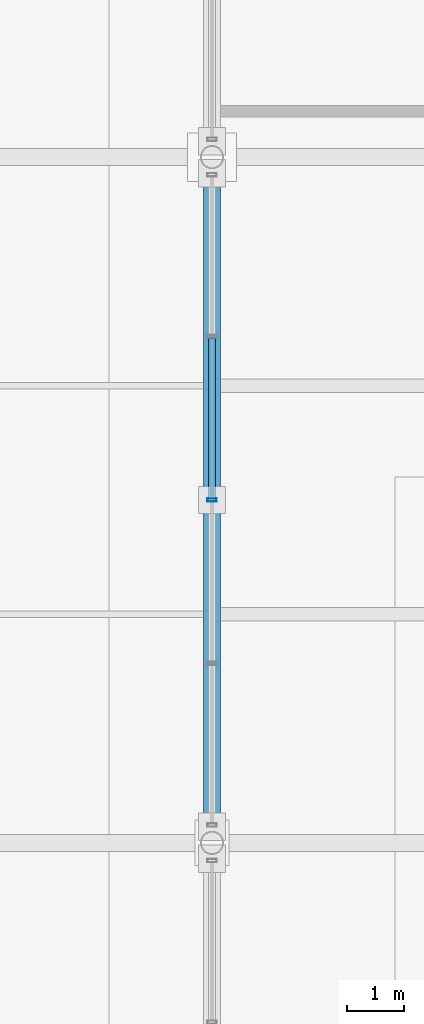
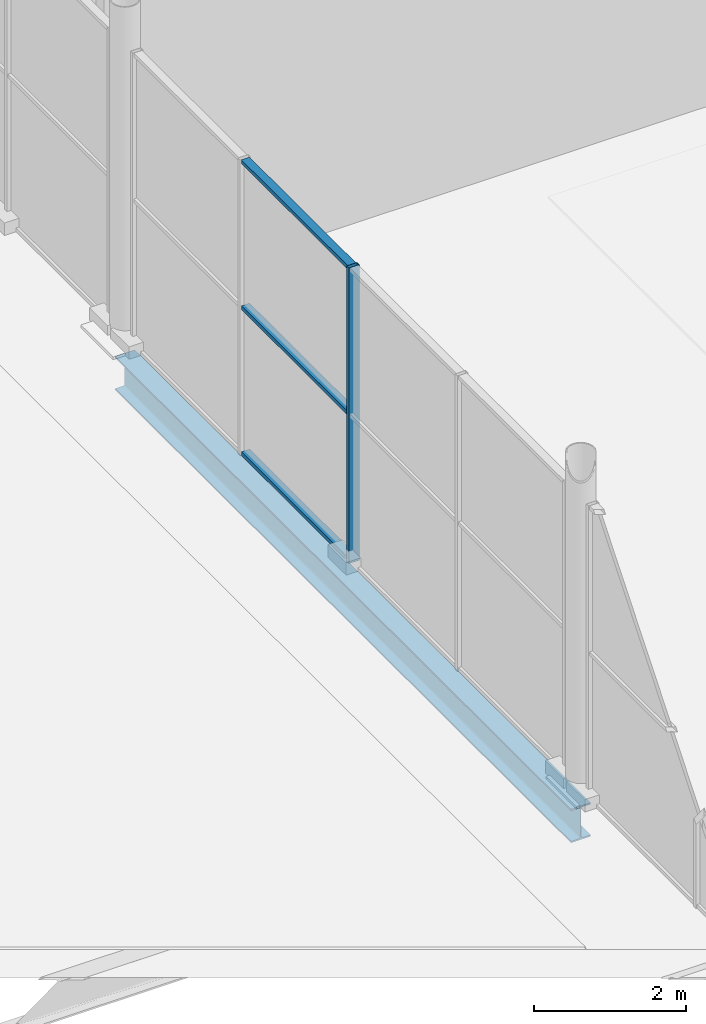
# One storey, part 74 of 196: 4 members, 1 beam, 1 element without a shape of its own.
"""IFC4 building model written with IfcOpenShell, lengths in metres."""

from ifc_helpers import new_model, si_unit, direction, frame, origin, origin_2d, place, context, subcontext, project, spatial, hollow_rectangle, i_section, extrude, material, material_profile, profile_set, type_object, element, aggregate, save


model = new_model("IFC4")

# Units and contexts
model_context = context("Model", 3, precision=1e-05, world=origin(), true_north=direction((0.0, 1.0)))
body_context = subcontext(model_context, "Body", "Model", "MODEL_VIEW")
ifc_project = project(units=[si_unit("LENGTHUNIT", "METRE"), si_unit("AREAUNIT", "SQUARE_METRE"), si_unit("VOLUMEUNIT", "CUBIC_METRE"), si_unit("PLANEANGLEUNIT", "RADIAN"), si_unit("MASSUNIT", "GRAM", prefix="KILO")], contexts=[model_context])

# Site, building, storey
site_placement = place(None, origin())
site = spatial("IfcSite", under=ifc_project, at=site_placement, CompositionType="ELEMENT")
building_placement = place(site_placement, origin())
building = spatial("IfcBuilding", under=site, at=building_placement, Name="Merenkruunu Market Hall", CompositionType="ELEMENT")
storey_placement = place(building_placement, origin())
storey = spatial("IfcBuildingStorey", under=building, at=storey_placement, Name="L00", CompositionType="ELEMENT", Elevation=0.0)

# Curtain wall, members
ifc_material_1 = material(Name="Powder-coated aluminium", Category="aluminium")
curtain_wall_type = type_object("IfcCurtainWallType", Name="Glazed Curtain Wall CW05", PredefinedType="USERDEFINED", material=ifc_material_1)
curtain_wall_placement = place(storey_placement, origin())
curtain_wall = element("IfcCurtainWall", 1, at=curtain_wall_placement, inside=storey, type_object=curtain_wall_type, Name="CW-L00-CWM01-152", ObjectType="GLAZED_FACADE", PredefinedType="USERDEFINED")
ifc_material_profile_1 = material_profile(ifc_material_1, hollow_rectangle(XDim=0.06005859375, YDim=0.159912109375, WallThickness=0.00390625, at=origin_2d()), Name="ALU 60x160x4")
ifc_profile_set_1 = profile_set([ifc_material_profile_1], Name="Powder-coated aluminium")
member_type_1 = type_object("IfcMemberType", Name="Curtain Wall Mullion CWM01", PredefinedType="MULLION", material=ifc_profile_set_1)
member_1_placement = place(storey_placement, frame((76.800048828125, 33.60009765625, 0.0), z_axis=(0.0, 0.0, 1.0), x_axis=(0.0, 1.0, 0.0)))
member_1 = element("IfcMember", 2, at=member_1_placement, type_object=member_type_1, Name="CW05 mullion 3", PredefinedType="MULLION", context=body_context, shape_type="SweptSolid", body=[
    extrude(hollow_rectangle(XDim=0.06005859375, YDim=0.159912109375, WallThickness=0.00390625, at=origin_2d()), origin(), (0.0, 0.0, 1.0), 4.75),
])
ifc_material_profile_2 = material_profile(ifc_material_1, hollow_rectangle(XDim=0.06005859375, YDim=0.125, WallThickness=0.00390625, at=origin_2d()), Name="ALU 60x125x4")
ifc_profile_set_2 = profile_set([ifc_material_profile_2], Name="Powder-coated aluminium")
member_type_2 = type_object("IfcMemberType", Name="Curtain Wall Transom CWT01", PredefinedType="USERDEFINED", material=ifc_profile_set_2)
member_2_placement = place(storey_placement, frame((76.800048828125, 33.6298828125, 0.030029296875), z_axis=(0.0, 1.0, 0.0), x_axis=(0.0, 0.0, 1.0)))
member_2 = element("IfcMember", 3, at=member_2_placement, type_object=member_type_2, Name="CW05 transom 3.1", ObjectType="TRANSOM", PredefinedType="USERDEFINED", context=body_context, shape_type="SweptSolid", body=[
    extrude(hollow_rectangle(XDim=0.06005859375, YDim=0.125, WallThickness=0.00390625, at=origin_2d()), origin(), (0.0, 0.0, 1.0), 2.800048828125),
])
member_3_placement = place(storey_placement, frame((76.800048828125, 33.6298828125, 2.375), z_axis=(0.0, 1.0, 0.0), x_axis=(0.0, 0.0, 1.0)))
member_3 = element("IfcMember", 4, at=member_3_placement, type_object=member_type_2, Name="CW05 transom 3.2", ObjectType="TRANSOM", PredefinedType="USERDEFINED", context=body_context, shape_type="SweptSolid", body=[
    extrude(hollow_rectangle(XDim=0.06005859375, YDim=0.125, WallThickness=0.00390625, at=origin_2d()), origin(), (0.0, 0.0, 1.0), 2.800048828125),
])
member_4_placement = place(storey_placement, frame((76.800048828125, 33.6298828125, 4.719970703125), z_axis=(0.0, 1.0, 0.0), x_axis=(0.0, 0.0, 1.0)))
member_4 = element("IfcMember", 5, at=member_4_placement, type_object=member_type_2, Name="CW05 transom 3.3", ObjectType="TRANSOM", PredefinedType="USERDEFINED", context=body_context, shape_type="SweptSolid", body=[
    extrude(hollow_rectangle(XDim=0.06005859375, YDim=0.125, WallThickness=0.00390625, at=origin_2d()), origin(), (0.0, 0.0, 1.0), 2.800048828125),
])
aggregate(curtain_wall, [member_1, member_2, member_3, member_4])

# Beam
ifc_material_2 = material(Name="Steel S355J2", Category="steel")
ifc_material_profile_3 = material_profile(ifc_material_2, i_section(OverallWidth=0.300048828125, OverallDepth=0.5400390625, WebThickness=0.012451171875, FlangeThickness=0.02392578125, FilletRadius=0.027099609375, at=origin_2d()), Name="HEA 550")
ifc_profile_set_3 = profile_set([ifc_material_profile_3], Name="Steel S355J2")
beam_type = type_object("IfcBeamType", Name="Primary Floor Girder B06", PredefinedType="BEAM", material=ifc_profile_set_3)
beam_placement = place(storey_placement, frame((76.800048828125, 27.60009765625, -0.570068359375), z_axis=(0.0, 1.0, 0.0), x_axis=(-1.0, 0.0, 0.0)))
element("IfcBeam", 6, at=beam_placement, inside=storey, type_object=beam_type, Name="BM-L00-B06-0204", PredefinedType="BEAM", context=body_context, shape_type="SweptSolid", body=[
    extrude(i_section(OverallWidth=0.300048828125, OverallDepth=0.5400390625, WebThickness=0.012451171875, FlangeThickness=0.02392578125, FilletRadius=0.027099609375, at=origin_2d()), origin(), (0.0, 0.0, 1.0), 12.0),
])

save(model, "model.ifc")
